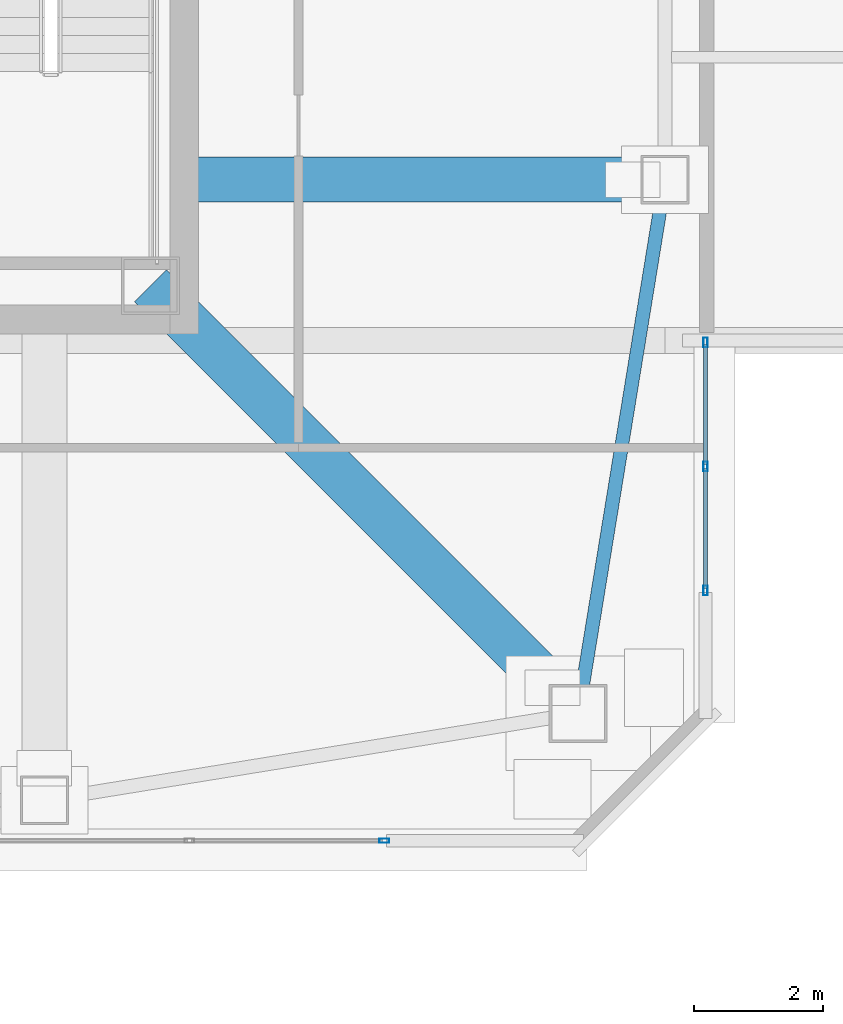
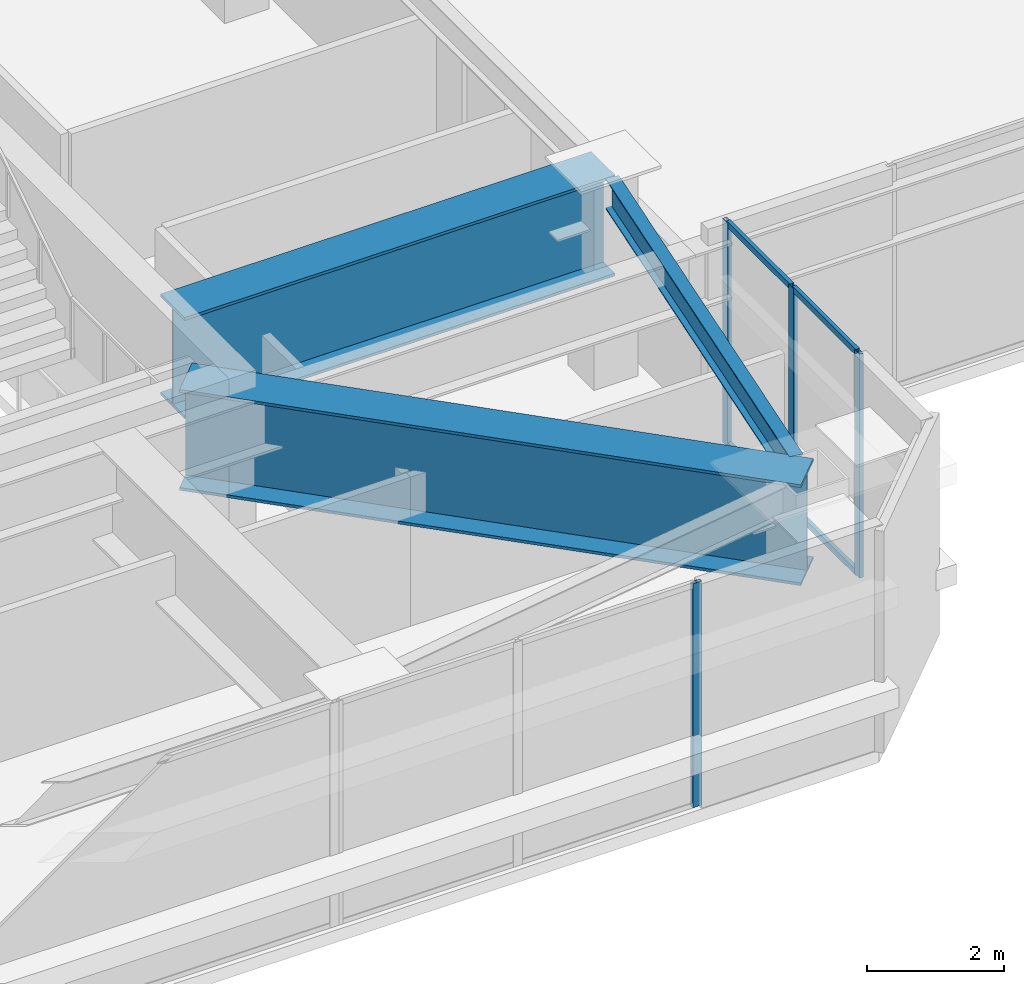
# One storey, part 12 of 51: 8 members, 3 beams, 2 elements without a shape of their own.
"""IFC4 building model written with IfcOpenShell, lengths in metres."""

from ifc_helpers import new_model, si_unit, direction, frame, origin, origin_2d, place, context, subcontext, project, spatial, hollow_rectangle, i_section, extrude, material, material_profile, profile_set, type_object, element, aggregate, save


model = new_model("IFC4")

# Units and contexts
model_context = context("Model", 3, precision=1e-05, world=origin(), true_north=direction((0.0, 1.0)))
body_context = subcontext(model_context, "Body", "Model", "MODEL_VIEW")
ifc_project = project(units=[si_unit("LENGTHUNIT", "METRE"), si_unit("AREAUNIT", "SQUARE_METRE"), si_unit("VOLUMEUNIT", "CUBIC_METRE"), si_unit("PLANEANGLEUNIT", "RADIAN"), si_unit("MASSUNIT", "GRAM", prefix="KILO")], contexts=[model_context])

# Site, building, storey
site_placement = place(None, origin())
site = spatial("IfcSite", under=ifc_project, at=site_placement, CompositionType="ELEMENT")
building_placement = place(site_placement, origin())
building = spatial("IfcBuilding", under=site, at=building_placement, Name="Tashvorn Skyway Center", CompositionType="ELEMENT")
storey_placement = place(building_placement, frame((0.0, 0.0, 259.39990234375)))
storey = spatial("IfcBuildingStorey", under=building, at=storey_placement, Name="L70", CompositionType="ELEMENT", Elevation=259.39990234375)

# Beams
ifc_material_1 = material(Name="Steel ASTM A572 Grade 50", Category="steel")
ifc_material_profile_1 = material_profile(ifc_material_1, i_section(OverallWidth=0.699951171875, OverallDepth=1.800048828125, WebThickness=0.031982421875, FlangeThickness=0.050048828125, at=origin_2d()), Name="PG1800x700")
ifc_profile_set_1 = profile_set([ifc_material_profile_1], Name="Steel ASTM A572 Grade 50")
beam_type_1 = type_object("IfcBeamType", Name="BM-BEAM-PG1800x700", PredefinedType="BEAM", material=ifc_profile_set_1)
beam_1_placement = place(storey_placement, frame((55.699951171875, 18.300048828125, 2.800048828125), z_axis=(-0.707106781187, 0.707106781187, 0.0), x_axis=(-0.707106781187, -0.707106781187, 0.0)))
element("IfcBeam", 1, at=beam_1_placement, inside=storey, type_object=beam_type_1, Name="Tower 1 L70 Setback Transfer Girder MC-SE", PredefinedType="BEAM", context=body_context, shape_type="SweptSolid", body=[
    extrude(i_section(OverallWidth=0.699951171875, OverallDepth=1.800048828125, WebThickness=0.031982421875, FlangeThickness=0.050048828125, at=origin_2d()), origin(), (0.0, 0.0, 1.0), 9.404296875),
])
beam_2_placement = place(storey_placement, frame((57.050048828125, 26.60009765625, 2.800048828125), z_axis=(-1.0, 0.0, 0.0), x_axis=(0.0, -1.0, 0.0)))
element("IfcBeam", 2, at=beam_2_placement, inside=storey, type_object=beam_type_1, Name="Tower 1 L70 Setback Transfer Girder FC-E1", PredefinedType="BEAM", context=body_context, shape_type="SweptSolid", body=[
    extrude(i_section(OverallWidth=0.699951171875, OverallDepth=1.800048828125, WebThickness=0.031982421875, FlangeThickness=0.050048828125, at=origin_2d()), origin(), (0.0, 0.0, 1.0), 7.27001953125),
])
ifc_material_2 = material(Name="Steel ASTM A992 Grade 50", Category="steel")
ifc_material_profile_2 = material_profile(ifc_material_2, i_section(OverallWidth=0.2109375, OverallDepth=0.5390625, WebThickness=0.01171875, FlangeThickness=0.018798828125, at=origin_2d()), Name="W21X73")
ifc_profile_set_2 = profile_set([ifc_material_profile_2], Name="Steel ASTM A992 Grade 50")
beam_type_2 = type_object("IfcBeamType", Name="BM-SPANDREL-W21X73", PredefinedType="SPANDREL", material=ifc_profile_set_2)
beam_3_placement = place(storey_placement, frame((55.771484375, 18.7392578125, 3.4306640625), z_axis=(0.160519005885, 0.987032749583, 0.0), x_axis=(-0.987032749583, 0.160519005885, 0.0)))
element("IfcBeam", 3, at=beam_3_placement, inside=storey, type_object=beam_type_2, Name="Tower 1 L70 Spandrel Beam 04", PredefinedType="SPANDREL", context=body_context, shape_type="SweptSolid", body=[
    extrude(i_section(OverallWidth=0.2109375, OverallDepth=0.5390625, WebThickness=0.01171875, FlangeThickness=0.018798828125, at=origin_2d()), origin(), (0.0, 0.0, 1.0), 7.593994140625),
])

# Curtain wall, member
ifc_material_3 = material(Name="Thermally broken bronze-anodized aluminium 6063-T6", Category="aluminium")
curtain_wall_type = type_object("IfcCurtainWallType", Name="CW-CW-SKY", PredefinedType="NOTDEFINED", material=ifc_material_3)
curtain_wall_1_placement = place(storey_placement, origin())
curtain_wall_1 = element("IfcCurtainWall", 4, at=curtain_wall_1_placement, inside=storey, type_object=curtain_wall_type, Name="Tower 1 L70 South Unitised Curtain Wall Glazing Group 1", PredefinedType="NOTDEFINED")
ifc_material_profile_3 = material_profile(ifc_material_3, hollow_rectangle(XDim=0.06494140625, YDim=0.14990234375, WallThickness=0.00390625, at=origin_2d()), Name="ALU-MULL-65x150")
ifc_profile_set_3 = profile_set([ifc_material_profile_3], Name="Thermally broken bronze-anodized aluminium 6063-T6")
member_type_1 = type_object("IfcMemberType", Name="CWM-CW-SKY", PredefinedType="MULLION", material=ifc_profile_set_3)
member_1_placement = place(storey_placement, frame((52.685302734375, 16.320068359375, 0.0), z_axis=(0.0, 0.0, 1.0), x_axis=(0.0, -1.0, 0.0)))
member_1 = element("IfcMember", 5, at=member_1_placement, type_object=member_type_1, Name="CW-SKY mullion 1", PredefinedType="MULLION", context=body_context, shape_type="SweptSolid", body=[
    extrude(hollow_rectangle(XDim=0.06494140625, YDim=0.14990234375, WallThickness=0.00390625, at=origin_2d()), origin(), (0.0, 0.0, 1.0), 4.0),
])
aggregate(curtain_wall_1, [member_1])

# Curtain wall, members
curtain_wall_2_placement = place(storey_placement, origin())
curtain_wall_2 = element("IfcCurtainWall", 6, at=curtain_wall_2_placement, inside=storey, type_object=curtain_wall_type, Name="Tower 1 L70 East Curtain Wall B Glazing Group 1", PredefinedType="NOTDEFINED")
member_2_placement = place(storey_placement, frame((57.679931640625, 24.0673828125, 0.0), z_axis=(0.0, 0.0, 1.0), x_axis=(1.0, 0.0, 0.0)))
member_2 = element("IfcMember", 7, at=member_2_placement, type_object=member_type_1, Name="CW-SKY mullion 1", PredefinedType="MULLION", context=body_context, shape_type="SweptSolid", body=[
    extrude(hollow_rectangle(XDim=0.06494140625, YDim=0.14990234375, WallThickness=0.00390625, at=origin_2d()), origin(), (0.0, 0.0, 1.0), 4.0),
])
member_3_placement = place(storey_placement, frame((57.679931640625, 22.139892578125, 0.0), z_axis=(0.0, 0.0, 1.0), x_axis=(1.0, 0.0, 0.0)))
member_3 = element("IfcMember", 8, at=member_3_placement, type_object=member_type_1, Name="CW-SKY mullion 2", PredefinedType="MULLION", context=body_context, shape_type="SweptSolid", body=[
    extrude(hollow_rectangle(XDim=0.06494140625, YDim=0.14990234375, WallThickness=0.00390625, at=origin_2d()), origin(), (0.0, 0.0, 1.0), 4.0),
])
member_4_placement = place(storey_placement, frame((57.679931640625, 20.21240234375, 0.0), z_axis=(0.0, 0.0, 1.0), x_axis=(1.0, 0.0, 0.0)))
member_4 = element("IfcMember", 9, at=member_4_placement, type_object=member_type_1, Name="CW-SKY mullion 3", PredefinedType="MULLION", context=body_context, shape_type="SweptSolid", body=[
    extrude(hollow_rectangle(XDim=0.06494140625, YDim=0.14990234375, WallThickness=0.00390625, at=origin_2d()), origin(), (0.0, 0.0, 1.0), 4.0),
])
ifc_material_profile_4 = material_profile(ifc_material_3, hollow_rectangle(XDim=0.06494140625, YDim=0.10498046875, WallThickness=0.00390625, at=origin_2d()), Name="ALU-TRAN-65x105")
ifc_profile_set_4 = profile_set([ifc_material_profile_4], Name="Thermally broken bronze-anodized aluminium 6063-T6")
member_type_2 = type_object("IfcMemberType", Name="CWT-CW-SKY", PredefinedType="USERDEFINED", material=ifc_profile_set_4)
member_5_placement = place(storey_placement, frame((57.679931640625, 24.034912109375, 0.03271484375), z_axis=(0.0, -1.0, 0.0), x_axis=(1.0, 0.0, 0.0)))
member_5 = element("IfcMember", 10, at=member_5_placement, type_object=member_type_2, Name="CW-SKY transom 1.1", ObjectType="TRANSOM", PredefinedType="USERDEFINED", context=body_context, shape_type="SweptSolid", body=[
    extrude(hollow_rectangle(XDim=0.06494140625, YDim=0.10498046875, WallThickness=0.00390625, at=origin_2d()), origin(), (0.0, 0.0, 1.0), 1.8623046875),
])
member_6_placement = place(storey_placement, frame((57.679931640625, 24.034912109375, 3.967529296875), z_axis=(0.0, -1.0, 0.0), x_axis=(1.0, 0.0, 0.0)))
member_6 = element("IfcMember", 11, at=member_6_placement, type_object=member_type_2, Name="CW-SKY transom 1.2", ObjectType="TRANSOM", PredefinedType="USERDEFINED", context=body_context, shape_type="SweptSolid", body=[
    extrude(hollow_rectangle(XDim=0.06494140625, YDim=0.10498046875, WallThickness=0.00390625, at=origin_2d()), origin(), (0.0, 0.0, 1.0), 1.8623046875),
])
member_7_placement = place(storey_placement, frame((57.679931640625, 22.107421875, 0.03271484375), z_axis=(0.0, -1.0, 0.0), x_axis=(1.0, 0.0, 0.0)))
member_7 = element("IfcMember", 12, at=member_7_placement, type_object=member_type_2, Name="CW-SKY transom 2.1", ObjectType="TRANSOM", PredefinedType="USERDEFINED", context=body_context, shape_type="SweptSolid", body=[
    extrude(hollow_rectangle(XDim=0.06494140625, YDim=0.10498046875, WallThickness=0.00390625, at=origin_2d()), origin(), (0.0, 0.0, 1.0), 1.8623046875),
])
member_8_placement = place(storey_placement, frame((57.679931640625, 22.107421875, 3.967529296875), z_axis=(0.0, -1.0, 0.0), x_axis=(1.0, 0.0, 0.0)))
member_8 = element("IfcMember", 13, at=member_8_placement, type_object=member_type_2, Name="CW-SKY transom 2.2", ObjectType="TRANSOM", PredefinedType="USERDEFINED", context=body_context, shape_type="SweptSolid", body=[
    extrude(hollow_rectangle(XDim=0.06494140625, YDim=0.10498046875, WallThickness=0.00390625, at=origin_2d()), origin(), (0.0, 0.0, 1.0), 1.8623046875),
])
aggregate(curtain_wall_2, [member_2, member_3, member_4, member_5, member_6, member_7, member_8])

save(model, "model.ifc")
